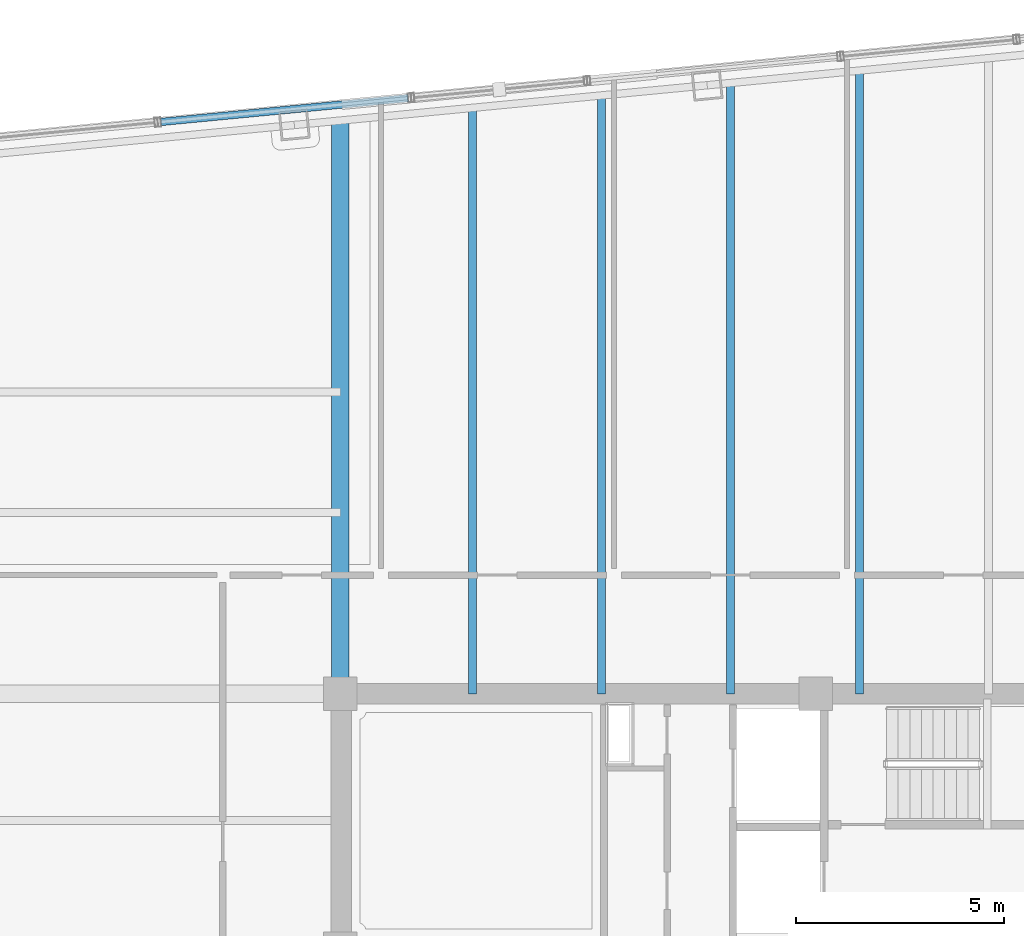
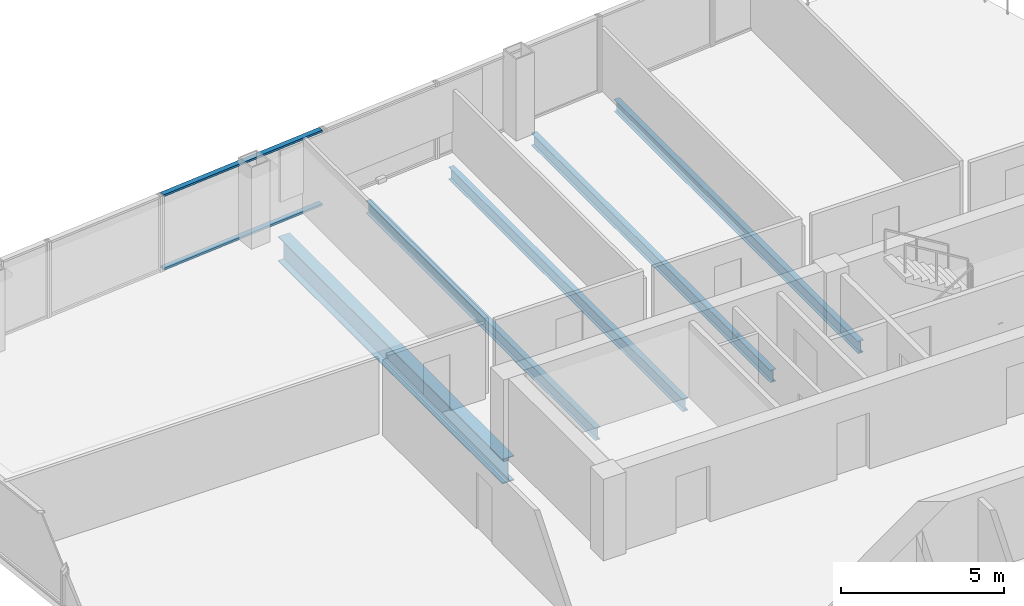
# One storey, part 13 of 22: 5 beams, 2 members, 1 element without a shape of its own.
"""IFC4 building model written with IfcOpenShell, lengths in metres."""

from ifc_helpers import new_model, si_unit, direction, frame, origin, origin_2d, place, context, subcontext, project, spatial, hollow_rectangle, i_section, extrude, material, layer, layer_set, material_profile, profile_set, type_object, element, aggregate, save


model = new_model("IFC4")

# Units and contexts
model_context = context("Model", 3, precision=1e-05, world=origin(), true_north=direction((0.0, 1.0)))
body_context = subcontext(model_context, "Body", "Model", "MODEL_VIEW")
ifc_project = project(units=[si_unit("LENGTHUNIT", "METRE"), si_unit("AREAUNIT", "SQUARE_METRE"), si_unit("VOLUMEUNIT", "CUBIC_METRE"), si_unit("PLANEANGLEUNIT", "RADIAN"), si_unit("MASSUNIT", "GRAM", prefix="KILO")], contexts=[model_context])

# Site, building, storey
site_placement = place(None, origin())
site = spatial("IfcSite", under=ifc_project, at=site_placement, CompositionType="ELEMENT")
building_placement = place(site_placement, origin())
building = spatial("IfcBuilding", under=site, at=building_placement, Name="Qhalaya Broadcast Tower", CompositionType="ELEMENT")
storey_placement = place(building_placement, frame((0.0, 0.0, 171.39990234375)))
storey = spatial("IfcBuildingStorey", under=building, at=storey_placement, Name="L50", CompositionType="ELEMENT", Elevation=171.39990234375)

# Beams
ifc_material_1 = material(Name="Structural Steel ASTM A992 Grade 50", Category="steel")
ifc_material_profile_1 = material_profile(ifc_material_1, i_section(OverallWidth=0.19189453125, OverallDepth=0.462890625, WebThickness=0.010498046875, FlangeThickness=0.017578125, at=origin_2d()), Name="W18X60")
ifc_profile_set_1 = profile_set([ifc_material_profile_1], Name="Structural Steel ASTM A992 Grade 50")
beam_type_1 = type_object("IfcBeamType", Name="Composite Floor Joist J03", PredefinedType="JOIST", material=ifc_profile_set_1)
beam_1_placement = place(storey_placement, frame((-6.199951171875, 9.949951171875, -0.451416015625), z_axis=(0.0, 1.0, 0.0), x_axis=(-1.0, 0.0, 0.0)))
element("IfcBeam", 1, at=beam_1_placement, inside=storey, type_object=beam_type_1, Name="L50 J03 L50-JNN1-1", PredefinedType="JOIST", context=body_context, shape_type="SweptSolid", body=[
    extrude(i_section(OverallWidth=0.19189453125, OverallDepth=0.462890625, WebThickness=0.010498046875, FlangeThickness=0.017578125, at=origin_2d()), origin(), (0.0, 0.0, 1.0), 14.059326171875),
])
beam_2_placement = place(storey_placement, frame((-3.10009765625, 9.949951171875, -0.451416015625), z_axis=(0.0, 1.0, 0.0), x_axis=(-1.0, 0.0, 0.0)))
element("IfcBeam", 2, at=beam_2_placement, inside=storey, type_object=beam_type_1, Name="L50 J03 L50-JNN2-1", PredefinedType="JOIST", context=body_context, shape_type="SweptSolid", body=[
    extrude(i_section(OverallWidth=0.19189453125, OverallDepth=0.462890625, WebThickness=0.010498046875, FlangeThickness=0.017578125, at=origin_2d()), origin(), (0.0, 0.0, 1.0), 14.35791015625),
])
beam_3_placement = place(storey_placement, frame((0.0, 9.949951171875, -0.451416015625), z_axis=(0.0, 1.0, 0.0), x_axis=(-1.0, 0.0, 0.0)))
element("IfcBeam", 3, at=beam_3_placement, inside=storey, type_object=beam_type_1, Name="L50 J03 L50-JNN3-1", PredefinedType="JOIST", context=body_context, shape_type="SweptSolid", body=[
    extrude(i_section(OverallWidth=0.19189453125, OverallDepth=0.462890625, WebThickness=0.010498046875, FlangeThickness=0.017578125, at=origin_2d()), origin(), (0.0, 0.0, 1.0), 14.65625),
])
beam_4_placement = place(storey_placement, frame((3.10009765625, 9.949951171875, -0.451416015625), z_axis=(0.0, 1.0, 0.0), x_axis=(-1.0, 0.0, 0.0)))
element("IfcBeam", 4, at=beam_4_placement, inside=storey, type_object=beam_type_1, Name="L50 J03 L50-JNN4-1", PredefinedType="JOIST", context=body_context, shape_type="SweptSolid", body=[
    extrude(i_section(OverallWidth=0.19189453125, OverallDepth=0.462890625, WebThickness=0.010498046875, FlangeThickness=0.017578125, at=origin_2d()), origin(), (0.0, 0.0, 1.0), 14.954833984375),
])
ifc_material_profile_2 = material_profile(ifc_material_1, i_section(OverallWidth=0.4189453125, OverallDepth=0.927001953125, WebThickness=0.019287109375, FlangeThickness=0.031982421875, at=origin_2d()), Name="W36X231")
ifc_profile_set_2 = profile_set([ifc_material_profile_2], Name="Structural Steel ASTM A992 Grade 50")
beam_type_2 = type_object("IfcBeamType", Name="Mid Block Primary Girder PG3", PredefinedType="USERDEFINED", material=ifc_profile_set_2)
beam_5_placement = place(storey_placement, frame((-9.375, 9.949951171875, -0.683349609375), z_axis=(0.0, 1.0, 0.0), x_axis=(-1.0, 0.0, 0.0)))
element("IfcBeam", 5, at=beam_5_placement, inside=storey, type_object=beam_type_2, Name="L50 PG3 L50-PGXN1-1", ObjectType="GIRDER", PredefinedType="USERDEFINED", context=body_context, shape_type="SweptSolid", body=[
    extrude(i_section(OverallWidth=0.4189453125, OverallDepth=0.927001953125, WebThickness=0.019287109375, FlangeThickness=0.031982421875, at=origin_2d()), origin(), (0.0, 0.0, 1.0), 13.753662109375),
])

# Curtain wall, members
ifc_material_2 = material(Name="Fired Architectural Terracotta", Category="masonry")
ifc_layer = layer(ifc_material_2, 0.219970703125, Name="Fired Architectural Terracotta")
ifc_layer_set = layer_set([ifc_layer], Name="Fired Architectural Terracotta")
curtain_wall_type = type_object("IfcCurtainWallType", Name="Block-Cap Unitised Terracotta Spandrel Wall CW-07", PredefinedType="NOTDEFINED", material=ifc_layer_set)
curtain_wall_placement = place(storey_placement, origin())
curtain_wall = element("IfcCurtainWall", 6, at=curtain_wall_placement, inside=storey, type_object=curtain_wall_type, Name="L50 Unitised Curtain Wall L50-CW-N5", PredefinedType="NOTDEFINED")
ifc_material_3 = material(Name="Anodised Aluminium 6063-T6", Category="aluminium")
ifc_material_profile_3 = material_profile(ifc_material_3, hollow_rectangle(XDim=0.074951171875, YDim=0.179931640625, WallThickness=0.00390625, at=origin_2d()), Name="ALU-TRN 75x180x4")
ifc_profile_set_3 = profile_set([ifc_material_profile_3], Name="Anodised Aluminium 6063-T6")
member_type = type_object("IfcMemberType", Name="Unitised Curtain-Wall Transom T01", PredefinedType="USERDEFINED", material=ifc_profile_set_3)
member_1_placement = place(storey_placement, frame((-7.74560546875, 24.26220703125, 0.03759765625), z_axis=(-0.99539822785, -0.095824673201, 0.0), x_axis=(0.0, 0.0, 1.0)))
member_1 = element("IfcMember", 7, at=member_1_placement, type_object=member_type, Name="CW-07 transom 1.1", ObjectType="TRANSOM", PredefinedType="USERDEFINED", context=body_context, shape_type="SweptSolid", body=[
    extrude(hollow_rectangle(XDim=0.074951171875, YDim=0.179931640625, WallThickness=0.00390625, at=origin_2d()), origin(), (0.0, 0.0, 1.0), 5.966796875),
])
member_2_placement = place(storey_placement, frame((-7.74560546875, 24.26220703125, 2.79248046875), z_axis=(-0.99539822785, -0.095824673201, 0.0), x_axis=(0.0, 0.0, 1.0)))
member_2 = element("IfcMember", 8, at=member_2_placement, type_object=member_type, Name="CW-07 transom 1.2", ObjectType="TRANSOM", PredefinedType="USERDEFINED", context=body_context, shape_type="SweptSolid", body=[
    extrude(hollow_rectangle(XDim=0.074951171875, YDim=0.179931640625, WallThickness=0.00390625, at=origin_2d()), origin(), (0.0, 0.0, 1.0), 5.966796875),
])
aggregate(curtain_wall, [member_1, member_2])

save(model, "model.ifc")
